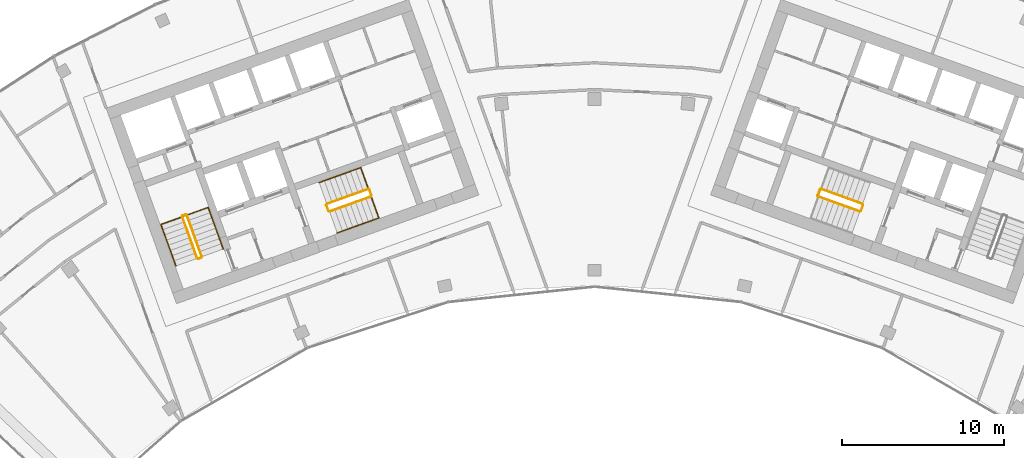
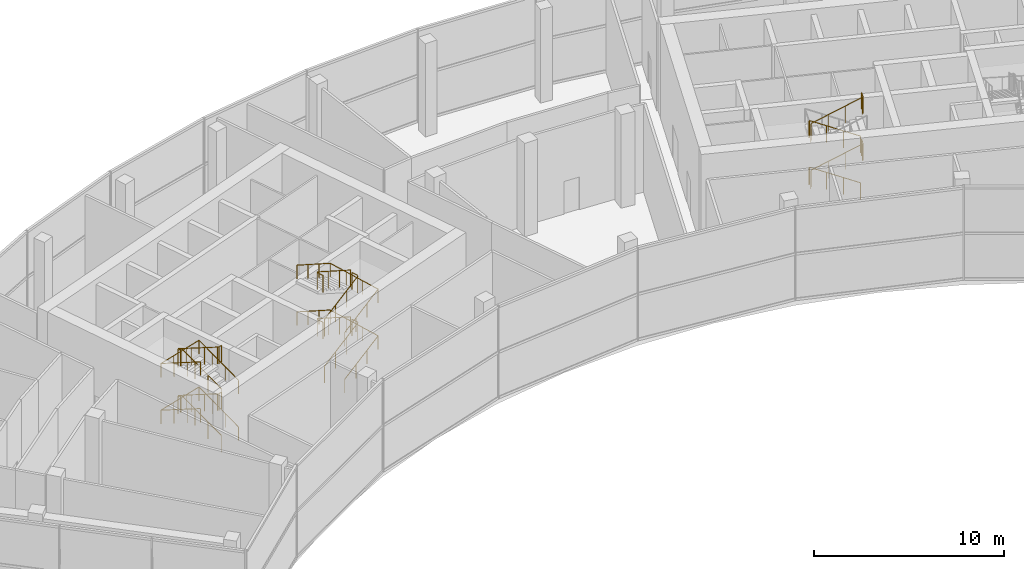
# One storey, part 17 of 18: 16 railings.
"""IFC4 building model written with IfcOpenShell, lengths in metres."""

from ifc_helpers import new_model, si_unit, direction, frame, origin, origin_2d, place, context, subcontext, project, spatial, circle, extrude, material, type_object, element, save


model = new_model("IFC4")

# Units and contexts
model_context = context("Model", 3, precision=1e-05, world=origin(), true_north=direction((0.0, 1.0)))
body_context = subcontext(model_context, "Body", "Model", "MODEL_VIEW")
ifc_project = project(units=[si_unit("LENGTHUNIT", "METRE"), si_unit("AREAUNIT", "SQUARE_METRE"), si_unit("VOLUMEUNIT", "CUBIC_METRE"), si_unit("PLANEANGLEUNIT", "RADIAN"), si_unit("MASSUNIT", "GRAM", prefix="KILO")], contexts=[model_context])

# Site, building, storey
site_placement = place(None, origin())
site = spatial("IfcSite", under=ifc_project, at=site_placement, CompositionType="ELEMENT")
building_placement = place(site_placement, origin())
building = spatial("IfcBuilding", under=site, at=building_placement, Name="Stone Belt Terrace Tower", CompositionType="ELEMENT")
storey_placement = place(building_placement, frame((0.0, 0.0, 307.39990234375)))
storey = spatial("IfcBuildingStorey", under=building, at=storey_placement, Name="L75", CompositionType="ELEMENT", Elevation=307.39990234375)

# Railings
ifc_material = material(Name="Structural steel C345", Category="steel")
railing_type_1 = type_object("IfcRailingType", Name="Stair guard 1100", PredefinedType="GUARDRAIL", material=ifc_material)
railing_1_placement = place(storey_placement, frame((-24.2119140625, 45.276123046875, 0.166748046875)))
element("IfcRailing", 1, at=railing_1_placement, inside=storey, type_object=railing_type_1, Name="L75 ST1A stair guard 1", PredefinedType="GUARDRAIL", context=body_context, shape_type="SweptSolid", body=[
    extrude(circle(Radius=0.02392578125, at=origin_2d()), frame((0.0, 0.0, 1.076171875), z_axis=(-0.304085050599, 0.844877706182, 0.440129462316), x_axis=(-0.940912581645, -0.338649544076, 0.0)), (0.0, 0.0, 1.0), 3.029296875),
    extrude(circle(Radius=0.02392578125, at=origin_2d()), frame((-0.921142578125, 2.559326171875, 2.4091796875), z_axis=(-0.905209821074, 0.424964916, 0.0), x_axis=(-0.424964916, -0.905209821074, 0.0)), (0.0, 0.0, 1.0), 0.070556640625),
    extrude(circle(Radius=0.02392578125, at=origin_2d()), frame((-0.985107421875, 2.58935546875, 2.4091796875), z_axis=(-0.941105063269, -0.338114270461, 0.0), x_axis=(0.338114270461, -0.941105063269, 0.0)), (0.0, 0.0, 1.0), 0.199951171875),
    extrude(circle(Radius=0.02099609375, at=origin_2d()), origin(), (0.0, 0.0, 1.0), 1.052001953125),
    extrude(circle(Radius=0.02099609375, at=origin_2d()), frame((-0.30712890625, 0.85302734375, 0.4443359375)), (0.0, 0.0, 1.0), 1.052001953125),
    extrude(circle(Radius=0.02099609375, at=origin_2d()), frame((-0.614013671875, 1.706298828125, 0.888916015625)), (0.0, 0.0, 1.0), 1.052001953125),
    extrude(circle(Radius=0.02099609375, at=origin_2d()), frame((-0.921142578125, 2.559326171875, 1.333251953125)), (0.0, 0.0, 1.0), 1.052001953125),
    extrude(circle(Radius=0.02099609375, at=origin_2d()), frame((-0.985107421875, 2.58935546875, 1.333251953125)), (0.0, 0.0, 1.0), 1.052001953125),
    extrude(circle(Radius=0.02099609375, at=origin_2d()), frame((-1.17333984375, 2.521728515625, 1.333251953125)), (0.0, 0.0, 1.0), 1.052001953125),
])
railing_2_placement = place(storey_placement, frame((-25.415283203125, 47.73388671875, 1.666748046875)))
element("IfcRailing", 2, at=railing_2_placement, inside=storey, type_object=railing_type_1, Name="L75 ST1A stair guard 2", PredefinedType="GUARDRAIL", context=body_context, shape_type="SweptSolid", body=[
    extrude(circle(Radius=0.02392578125, at=origin_2d()), frame((0.0, 0.0, 1.076171875), z_axis=(0.304085050599, -0.844877706182, 0.440129462316), x_axis=(0.940912581645, 0.338649544076, 0.0)), (0.0, 0.0, 1.0), 3.029296875),
    extrude(circle(Radius=0.02392578125, at=origin_2d()), frame((0.921142578125, -2.559326171875, 2.4091796875), z_axis=(0.903878284585, -0.427789722475, 0.0), x_axis=(0.427789722475, 0.903878284585, 0.0)), (0.0, 0.0, 1.0), 0.07080078125),
    extrude(circle(Radius=0.02392578125, at=origin_2d()), frame((0.985107421875, -2.589599609375, 2.4091796875), z_axis=(0.940575576748, 0.339584429008, 0.0), x_axis=(-0.339584429008, 0.940575576748, 0.0)), (0.0, 0.0, 1.0), 0.199951171875),
    extrude(circle(Radius=0.02099609375, at=origin_2d()), origin(), (0.0, 0.0, 1.0), 1.052001953125),
    extrude(circle(Radius=0.02099609375, at=origin_2d()), frame((0.30712890625, -0.85302734375, 0.4443359375)), (0.0, 0.0, 1.0), 1.052001953125),
    extrude(circle(Radius=0.02099609375, at=origin_2d()), frame((0.614013671875, -1.706298828125, 0.888916015625)), (0.0, 0.0, 1.0), 1.052001953125),
    extrude(circle(Radius=0.02099609375, at=origin_2d()), frame((0.921142578125, -2.559326171875, 1.333251953125)), (0.0, 0.0, 1.0), 1.052001953125),
    extrude(circle(Radius=0.02099609375, at=origin_2d()), frame((0.985107421875, -2.589599609375, 1.333251953125)), (0.0, 0.0, 1.0), 1.052001953125),
    extrude(circle(Radius=0.02099609375, at=origin_2d()), frame((1.173095703125, -2.521728515625, 1.333251953125)), (0.0, 0.0, 1.0), 1.052001953125),
])
railing_3_placement = place(storey_placement, frame((-24.2119140625, 45.276123046875, 3.166748046875)))
element("IfcRailing", 3, at=railing_3_placement, inside=storey, type_object=railing_type_1, Name="L75 ST1A stair guard 3", PredefinedType="GUARDRAIL", context=body_context, shape_type="SweptSolid", body=[
    extrude(circle(Radius=0.02392578125, at=origin_2d()), frame((0.0, 0.0, 1.076171875), z_axis=(-0.304085050599, 0.844877706182, 0.440129462316), x_axis=(-0.940912581645, -0.338649544076, 0.0)), (0.0, 0.0, 1.0), 3.029296875),
    extrude(circle(Radius=0.02392578125, at=origin_2d()), frame((-0.921142578125, 2.559326171875, 2.4091796875), z_axis=(-0.905209821074, 0.424964916, 0.0), x_axis=(-0.424964916, -0.905209821074, 0.0)), (0.0, 0.0, 1.0), 0.070556640625),
    extrude(circle(Radius=0.02392578125, at=origin_2d()), frame((-0.985107421875, 2.58935546875, 2.4091796875), z_axis=(-0.941105063269, -0.338114270461, 0.0), x_axis=(0.338114270461, -0.941105063269, 0.0)), (0.0, 0.0, 1.0), 0.199951171875),
    extrude(circle(Radius=0.02099609375, at=origin_2d()), origin(), (0.0, 0.0, 1.0), 1.052001953125),
    extrude(circle(Radius=0.02099609375, at=origin_2d()), frame((-0.30712890625, 0.85302734375, 0.4443359375)), (0.0, 0.0, 1.0), 1.052001953125),
    extrude(circle(Radius=0.02099609375, at=origin_2d()), frame((-0.614013671875, 1.706298828125, 0.888916015625)), (0.0, 0.0, 1.0), 1.052001953125),
    extrude(circle(Radius=0.02099609375, at=origin_2d()), frame((-0.921142578125, 2.559326171875, 1.333251953125)), (0.0, 0.0, 1.0), 1.052001953125),
    extrude(circle(Radius=0.02099609375, at=origin_2d()), frame((-0.985107421875, 2.58935546875, 1.333251953125)), (0.0, 0.0, 1.0), 1.052001953125),
    extrude(circle(Radius=0.02099609375, at=origin_2d()), frame((-1.17333984375, 2.521728515625, 1.333251953125)), (0.0, 0.0, 1.0), 1.052001953125),
])
railing_4_placement = place(storey_placement, frame((-25.415283203125, 47.73388671875, 4.666748046875)))
element("IfcRailing", 4, at=railing_4_placement, inside=storey, type_object=railing_type_1, Name="L75 ST1A stair guard 4", PredefinedType="GUARDRAIL", context=body_context, shape_type="SweptSolid", body=[
    extrude(circle(Radius=0.02392578125, at=origin_2d()), frame((0.0, 0.0, 1.076171875), z_axis=(0.304085050599, -0.844877706182, 0.440129462316), x_axis=(0.940912581645, 0.338649544076, 0.0)), (0.0, 0.0, 1.0), 3.029296875),
    extrude(circle(Radius=0.02392578125, at=origin_2d()), frame((0.921142578125, -2.559326171875, 2.4091796875), z_axis=(0.903878284585, -0.427789722475, 0.0), x_axis=(0.427789722475, 0.903878284585, 0.0)), (0.0, 0.0, 1.0), 0.07080078125),
    extrude(circle(Radius=0.02392578125, at=origin_2d()), frame((0.985107421875, -2.589599609375, 2.4091796875), z_axis=(0.940575576748, 0.339584429008, 0.0), x_axis=(-0.339584429008, 0.940575576748, 0.0)), (0.0, 0.0, 1.0), 0.199951171875),
    extrude(circle(Radius=0.02099609375, at=origin_2d()), origin(), (0.0, 0.0, 1.0), 1.052001953125),
    extrude(circle(Radius=0.02099609375, at=origin_2d()), frame((0.30712890625, -0.85302734375, 0.4443359375)), (0.0, 0.0, 1.0), 1.052001953125),
    extrude(circle(Radius=0.02099609375, at=origin_2d()), frame((0.614013671875, -1.706298828125, 0.888916015625)), (0.0, 0.0, 1.0), 1.052001953125),
    extrude(circle(Radius=0.02099609375, at=origin_2d()), frame((0.921142578125, -2.559326171875, 1.333251953125)), (0.0, 0.0, 1.0), 1.052001953125),
    extrude(circle(Radius=0.02099609375, at=origin_2d()), frame((0.985107421875, -2.589599609375, 1.333251953125)), (0.0, 0.0, 1.0), 1.052001953125),
    extrude(circle(Radius=0.02099609375, at=origin_2d()), frame((1.173095703125, -2.521728515625, 1.333251953125)), (0.0, 0.0, 1.0), 1.052001953125),
])
railing_5_placement = place(storey_placement, frame((-16.33837890625, 48.056640625, 0.166748046875)))
element("IfcRailing", 5, at=railing_5_placement, inside=storey, type_object=railing_type_1, Name="L75 ST2A stair guard 1", PredefinedType="GUARDRAIL", context=body_context, shape_type="SweptSolid", body=[
    extrude(circle(Radius=0.02392578125, at=origin_2d()), frame((0.0, 0.0, 1.076171875), z_axis=(0.844898410246, 0.304011905318, 0.440140247863), x_axis=(-0.33857007795, 0.940941178989, 0.0)), (0.0, 0.0, 1.0), 3.029052734375),
    extrude(circle(Radius=0.02392578125, at=origin_2d()), frame((2.559326171875, 0.9208984375, 2.4091796875), z_axis=(0.424964916, 0.905209821074, 0.0), x_axis=(-0.905209821074, 0.424964916, 0.0)), (0.0, 0.0, 1.0), 0.070556640625),
    extrude(circle(Radius=0.02392578125, at=origin_2d()), frame((2.58935546875, 0.98486328125, 2.4091796875), z_axis=(-0.338114270461, 0.941105063269, 0.0), x_axis=(-0.941105063269, -0.338114270461, 0.0)), (0.0, 0.0, 1.0), 0.39990234375),
    extrude(circle(Radius=0.02099609375, at=origin_2d()), origin(), (0.0, 0.0, 1.0), 1.052001953125),
    extrude(circle(Radius=0.02099609375, at=origin_2d()), frame((0.85302734375, 0.306884765625, 0.4443359375)), (0.0, 0.0, 1.0), 1.052001953125),
    extrude(circle(Radius=0.02099609375, at=origin_2d()), frame((1.706298828125, 0.614013671875, 0.888916015625)), (0.0, 0.0, 1.0), 1.052001953125),
    extrude(circle(Radius=0.02099609375, at=origin_2d()), frame((2.559326171875, 0.9208984375, 1.333251953125)), (0.0, 0.0, 1.0), 1.052001953125),
    extrude(circle(Radius=0.02099609375, at=origin_2d()), frame((2.58935546875, 0.98486328125, 1.333251953125)), (0.0, 0.0, 1.0), 1.052001953125),
    extrude(circle(Radius=0.02099609375, at=origin_2d()), frame((2.4541015625, 1.361328125, 1.333251953125)), (0.0, 0.0, 1.0), 1.052001953125),
])
railing_6_placement = place(storey_placement, frame((-13.9482421875, 49.447998046875, 1.666748046875)))
element("IfcRailing", 6, at=railing_6_placement, inside=storey, type_object=railing_type_1, Name="L75 ST2A stair guard 2", PredefinedType="GUARDRAIL", context=body_context, shape_type="SweptSolid", body=[
    extrude(circle(Radius=0.02392578125, at=origin_2d()), frame((0.0, 0.0, 1.076171875), z_axis=(-0.844898410246, -0.304011905318, 0.440140247863), x_axis=(0.33857007795, -0.940941178989, 0.0)), (0.0, 0.0, 1.0), 3.029052734375),
    extrude(circle(Radius=0.02392578125, at=origin_2d()), frame((-2.559326171875, -0.9208984375, 2.4091796875), z_axis=(-0.427789722475, -0.903878284585, 0.0), x_axis=(0.903878284585, -0.427789722475, 0.0)), (0.0, 0.0, 1.0), 0.07080078125),
    extrude(circle(Radius=0.02392578125, at=origin_2d()), frame((-2.589599609375, -0.98486328125, 2.4091796875), z_axis=(0.338654645739, -0.940910745459, 0.0), x_axis=(0.940910745459, 0.338654645739, 0.0)), (0.0, 0.0, 1.0), 0.400146484375),
    extrude(circle(Radius=0.02099609375, at=origin_2d()), origin(), (0.0, 0.0, 1.0), 1.052001953125),
    extrude(circle(Radius=0.02099609375, at=origin_2d()), frame((-0.85302734375, -0.306884765625, 0.4443359375)), (0.0, 0.0, 1.0), 1.052001953125),
    extrude(circle(Radius=0.02099609375, at=origin_2d()), frame((-1.706298828125, -0.614013671875, 0.888916015625)), (0.0, 0.0, 1.0), 1.052001953125),
    extrude(circle(Radius=0.02099609375, at=origin_2d()), frame((-2.559326171875, -0.9208984375, 1.333251953125)), (0.0, 0.0, 1.0), 1.052001953125),
    extrude(circle(Radius=0.02099609375, at=origin_2d()), frame((-2.589599609375, -0.98486328125, 1.333251953125)), (0.0, 0.0, 1.0), 1.052001953125),
    extrude(circle(Radius=0.02099609375, at=origin_2d()), frame((-2.4541015625, -1.361328125, 1.333251953125)), (0.0, 0.0, 1.0), 1.052001953125),
])
railing_7_placement = place(storey_placement, frame((-16.33837890625, 48.056640625, 3.166748046875)))
element("IfcRailing", 7, at=railing_7_placement, inside=storey, type_object=railing_type_1, Name="L75 ST2A stair guard 3", PredefinedType="GUARDRAIL", context=body_context, shape_type="SweptSolid", body=[
    extrude(circle(Radius=0.02392578125, at=origin_2d()), frame((0.0, 0.0, 1.076171875), z_axis=(0.844898410246, 0.304011905318, 0.440140247863), x_axis=(-0.33857007795, 0.940941178989, 0.0)), (0.0, 0.0, 1.0), 3.029052734375),
    extrude(circle(Radius=0.02392578125, at=origin_2d()), frame((2.559326171875, 0.9208984375, 2.4091796875), z_axis=(0.424964916, 0.905209821074, 0.0), x_axis=(-0.905209821074, 0.424964916, 0.0)), (0.0, 0.0, 1.0), 0.070556640625),
    extrude(circle(Radius=0.02392578125, at=origin_2d()), frame((2.58935546875, 0.98486328125, 2.4091796875), z_axis=(-0.338114270461, 0.941105063269, 0.0), x_axis=(-0.941105063269, -0.338114270461, 0.0)), (0.0, 0.0, 1.0), 0.39990234375),
    extrude(circle(Radius=0.02099609375, at=origin_2d()), origin(), (0.0, 0.0, 1.0), 1.052001953125),
    extrude(circle(Radius=0.02099609375, at=origin_2d()), frame((0.85302734375, 0.306884765625, 0.4443359375)), (0.0, 0.0, 1.0), 1.052001953125),
    extrude(circle(Radius=0.02099609375, at=origin_2d()), frame((1.706298828125, 0.614013671875, 0.888916015625)), (0.0, 0.0, 1.0), 1.052001953125),
    extrude(circle(Radius=0.02099609375, at=origin_2d()), frame((2.559326171875, 0.9208984375, 1.333251953125)), (0.0, 0.0, 1.0), 1.052001953125),
    extrude(circle(Radius=0.02099609375, at=origin_2d()), frame((2.58935546875, 0.98486328125, 1.333251953125)), (0.0, 0.0, 1.0), 1.052001953125),
    extrude(circle(Radius=0.02099609375, at=origin_2d()), frame((2.4541015625, 1.361328125, 1.333251953125)), (0.0, 0.0, 1.0), 1.052001953125),
])
railing_8_placement = place(storey_placement, frame((-13.9482421875, 49.447998046875, 4.666748046875)))
element("IfcRailing", 8, at=railing_8_placement, inside=storey, type_object=railing_type_1, Name="L75 ST2A stair guard 4", PredefinedType="GUARDRAIL", context=body_context, shape_type="SweptSolid", body=[
    extrude(circle(Radius=0.02392578125, at=origin_2d()), frame((0.0, 0.0, 1.076171875), z_axis=(-0.844898410246, -0.304011905318, 0.440140247863), x_axis=(0.33857007795, -0.940941178989, 0.0)), (0.0, 0.0, 1.0), 3.029052734375),
    extrude(circle(Radius=0.02392578125, at=origin_2d()), frame((-2.559326171875, -0.9208984375, 2.4091796875), z_axis=(-0.427789722475, -0.903878284585, 0.0), x_axis=(0.903878284585, -0.427789722475, 0.0)), (0.0, 0.0, 1.0), 0.07080078125),
    extrude(circle(Radius=0.02392578125, at=origin_2d()), frame((-2.589599609375, -0.98486328125, 2.4091796875), z_axis=(0.338654645739, -0.940910745459, 0.0), x_axis=(0.940910745459, 0.338654645739, 0.0)), (0.0, 0.0, 1.0), 0.400146484375),
    extrude(circle(Radius=0.02099609375, at=origin_2d()), origin(), (0.0, 0.0, 1.0), 1.052001953125),
    extrude(circle(Radius=0.02099609375, at=origin_2d()), frame((-0.85302734375, -0.306884765625, 0.4443359375)), (0.0, 0.0, 1.0), 1.052001953125),
    extrude(circle(Radius=0.02099609375, at=origin_2d()), frame((-1.706298828125, -0.614013671875, 0.888916015625)), (0.0, 0.0, 1.0), 1.052001953125),
    extrude(circle(Radius=0.02099609375, at=origin_2d()), frame((-2.559326171875, -0.9208984375, 1.333251953125)), (0.0, 0.0, 1.0), 1.052001953125),
    extrude(circle(Radius=0.02099609375, at=origin_2d()), frame((-2.589599609375, -0.98486328125, 1.333251953125)), (0.0, 0.0, 1.0), 1.052001953125),
    extrude(circle(Radius=0.02099609375, at=origin_2d()), frame((-2.4541015625, -1.361328125, 1.333251953125)), (0.0, 0.0, 1.0), 1.052001953125),
])
railing_9_placement = place(storey_placement, frame((16.507568359375, 48.527099609375, 0.166748046875)))
element("IfcRailing", 9, at=railing_9_placement, inside=storey, type_object=railing_type_1, Name="L75 ST2B stair guard 1", PredefinedType="GUARDRAIL", context=body_context, shape_type="SweptSolid", body=[
    extrude(circle(Radius=0.02392578125, at=origin_2d()), frame((0.0, 0.0, 1.076171875), z_axis=(-0.844898410246, 0.304011905318, 0.440140247863), x_axis=(-0.33857007795, -0.940941178989, 0.0)), (0.0, 0.0, 1.0), 3.029052734375),
    extrude(circle(Radius=0.02392578125, at=origin_2d()), frame((-2.559326171875, 0.9208984375, 2.4091796875), z_axis=(-0.905209821074, -0.424964916, 0.0), x_axis=(0.424964916, -0.905209821074, 0.0)), (0.0, 0.0, 1.0), 0.070556640625),
    extrude(circle(Radius=0.02392578125, at=origin_2d()), frame((-2.623291015625, 0.890869140625, 2.4091796875), z_axis=(-0.338114270461, -0.941105063269, 0.0), x_axis=(0.941105063269, -0.338114270461, 0.0)), (0.0, 0.0, 1.0), 0.39990234375),
    extrude(circle(Radius=0.02099609375, at=origin_2d()), origin(), (0.0, 0.0, 1.0), 1.052001953125),
    extrude(circle(Radius=0.02099609375, at=origin_2d()), frame((-0.85302734375, 0.306884765625, 0.4443359375)), (0.0, 0.0, 1.0), 1.052001953125),
    extrude(circle(Radius=0.02099609375, at=origin_2d()), frame((-1.706298828125, 0.614013671875, 0.888916015625)), (0.0, 0.0, 1.0), 1.052001953125),
    extrude(circle(Radius=0.02099609375, at=origin_2d()), frame((-2.559326171875, 0.9208984375, 1.333251953125)), (0.0, 0.0, 1.0), 1.052001953125),
    extrude(circle(Radius=0.02099609375, at=origin_2d()), frame((-2.623291015625, 0.890869140625, 1.333251953125)), (0.0, 0.0, 1.0), 1.052001953125),
    extrude(circle(Radius=0.02099609375, at=origin_2d()), frame((-2.758544921875, 0.514404296875, 1.333251953125)), (0.0, 0.0, 1.0), 1.052001953125),
])
railing_10_placement = place(storey_placement, frame((13.779052734375, 48.9775390625, 1.666748046875)))
element("IfcRailing", 10, at=railing_10_placement, inside=storey, type_object=railing_type_1, Name="L75 ST2B stair guard 2", PredefinedType="GUARDRAIL", context=body_context, shape_type="SweptSolid", body=[
    extrude(circle(Radius=0.02392578125, at=origin_2d()), frame((0.0, 0.0, 1.076171875), z_axis=(0.844898410246, -0.304011905318, 0.440140247863), x_axis=(0.33857007795, 0.940941178989, 0.0)), (0.0, 0.0, 1.0), 3.029052734375),
    extrude(circle(Radius=0.02392578125, at=origin_2d()), frame((2.559326171875, -0.9208984375, 2.4091796875), z_axis=(0.905209821074, 0.424964916, 0.0), x_axis=(-0.424964916, 0.905209821074, 0.0)), (0.0, 0.0, 1.0), 0.070556640625),
    extrude(circle(Radius=0.02392578125, at=origin_2d()), frame((2.623291015625, -0.890869140625, 2.4091796875), z_axis=(0.338654645739, 0.940910745459, 0.0), x_axis=(-0.940910745459, 0.338654645739, 0.0)), (0.0, 0.0, 1.0), 0.400146484375),
    extrude(circle(Radius=0.02099609375, at=origin_2d()), origin(), (0.0, 0.0, 1.0), 1.052001953125),
    extrude(circle(Radius=0.02099609375, at=origin_2d()), frame((0.85302734375, -0.306884765625, 0.4443359375)), (0.0, 0.0, 1.0), 1.052001953125),
    extrude(circle(Radius=0.02099609375, at=origin_2d()), frame((1.706298828125, -0.614013671875, 0.888916015625)), (0.0, 0.0, 1.0), 1.052001953125),
    extrude(circle(Radius=0.02099609375, at=origin_2d()), frame((2.559326171875, -0.9208984375, 1.333251953125)), (0.0, 0.0, 1.0), 1.052001953125),
    extrude(circle(Radius=0.02099609375, at=origin_2d()), frame((2.623291015625, -0.890869140625, 1.333251953125)), (0.0, 0.0, 1.0), 1.052001953125),
    extrude(circle(Radius=0.02099609375, at=origin_2d()), frame((2.7587890625, -0.514404296875, 1.333251953125)), (0.0, 0.0, 1.0), 1.052001953125),
])
railing_11_placement = place(storey_placement, frame((16.507568359375, 48.527099609375, 3.166748046875)))
element("IfcRailing", 11, at=railing_11_placement, inside=storey, type_object=railing_type_1, Name="L75 ST2B stair guard 3", PredefinedType="GUARDRAIL", context=body_context, shape_type="SweptSolid", body=[
    extrude(circle(Radius=0.02392578125, at=origin_2d()), frame((0.0, 0.0, 1.076171875), z_axis=(-0.844898410246, 0.304011905318, 0.440140247863), x_axis=(-0.33857007795, -0.940941178989, 0.0)), (0.0, 0.0, 1.0), 3.029052734375),
    extrude(circle(Radius=0.02392578125, at=origin_2d()), frame((-2.559326171875, 0.9208984375, 2.4091796875), z_axis=(-0.905209821074, -0.424964916, 0.0), x_axis=(0.424964916, -0.905209821074, 0.0)), (0.0, 0.0, 1.0), 0.070556640625),
    extrude(circle(Radius=0.02392578125, at=origin_2d()), frame((-2.623291015625, 0.890869140625, 2.4091796875), z_axis=(-0.338114270461, -0.941105063269, 0.0), x_axis=(0.941105063269, -0.338114270461, 0.0)), (0.0, 0.0, 1.0), 0.39990234375),
    extrude(circle(Radius=0.02099609375, at=origin_2d()), origin(), (0.0, 0.0, 1.0), 1.052001953125),
    extrude(circle(Radius=0.02099609375, at=origin_2d()), frame((-0.85302734375, 0.306884765625, 0.4443359375)), (0.0, 0.0, 1.0), 1.052001953125),
    extrude(circle(Radius=0.02099609375, at=origin_2d()), frame((-1.706298828125, 0.614013671875, 0.888916015625)), (0.0, 0.0, 1.0), 1.052001953125),
    extrude(circle(Radius=0.02099609375, at=origin_2d()), frame((-2.559326171875, 0.9208984375, 1.333251953125)), (0.0, 0.0, 1.0), 1.052001953125),
    extrude(circle(Radius=0.02099609375, at=origin_2d()), frame((-2.623291015625, 0.890869140625, 1.333251953125)), (0.0, 0.0, 1.0), 1.052001953125),
    extrude(circle(Radius=0.02099609375, at=origin_2d()), frame((-2.758544921875, 0.514404296875, 1.333251953125)), (0.0, 0.0, 1.0), 1.052001953125),
])
railing_12_placement = place(storey_placement, frame((13.779052734375, 48.9775390625, 4.666748046875)))
element("IfcRailing", 12, at=railing_12_placement, inside=storey, type_object=railing_type_1, Name="L75 ST2B stair guard 4", PredefinedType="GUARDRAIL", context=body_context, shape_type="SweptSolid", body=[
    extrude(circle(Radius=0.02392578125, at=origin_2d()), frame((0.0, 0.0, 1.076171875), z_axis=(0.844898410246, -0.304011905318, 0.440140247863), x_axis=(0.33857007795, 0.940941178989, 0.0)), (0.0, 0.0, 1.0), 3.029052734375),
    extrude(circle(Radius=0.02392578125, at=origin_2d()), frame((2.559326171875, -0.9208984375, 2.4091796875), z_axis=(0.905209821074, 0.424964916, 0.0), x_axis=(-0.424964916, 0.905209821074, 0.0)), (0.0, 0.0, 1.0), 0.070556640625),
    extrude(circle(Radius=0.02392578125, at=origin_2d()), frame((2.623291015625, -0.890869140625, 2.4091796875), z_axis=(0.338654645739, 0.940910745459, 0.0), x_axis=(-0.940910745459, 0.338654645739, 0.0)), (0.0, 0.0, 1.0), 0.400146484375),
    extrude(circle(Radius=0.02099609375, at=origin_2d()), origin(), (0.0, 0.0, 1.0), 1.052001953125),
    extrude(circle(Radius=0.02099609375, at=origin_2d()), frame((0.85302734375, -0.306884765625, 0.4443359375)), (0.0, 0.0, 1.0), 1.052001953125),
    extrude(circle(Radius=0.02099609375, at=origin_2d()), frame((1.706298828125, -0.614013671875, 0.888916015625)), (0.0, 0.0, 1.0), 1.052001953125),
    extrude(circle(Radius=0.02099609375, at=origin_2d()), frame((2.559326171875, -0.9208984375, 1.333251953125)), (0.0, 0.0, 1.0), 1.052001953125),
    extrude(circle(Radius=0.02099609375, at=origin_2d()), frame((2.623291015625, -0.890869140625, 1.333251953125)), (0.0, 0.0, 1.0), 1.052001953125),
    extrude(circle(Radius=0.02099609375, at=origin_2d()), frame((2.7587890625, -0.514404296875, 1.333251953125)), (0.0, 0.0, 1.0), 1.052001953125),
])
railing_type_2 = type_object("IfcRailingType", Name="Stair handrail 900", PredefinedType="HANDRAIL", material=ifc_material)
railing_13_placement = place(storey_placement, frame((-22.894775390625, 45.750244140625, 0.166748046875)))
element("IfcRailing", 13, at=railing_13_placement, inside=storey, type_object=railing_type_2, Name="L75 ST1A stair handrail 1", PredefinedType="HANDRAIL", context=body_context, shape_type="SweptSolid", body=[
    extrude(circle(Radius=0.02392578125, at=origin_2d()), frame((0.0, 0.0, 0.8759765625), z_axis=(-0.304032608525, 0.844875345325, 0.44017022141), x_axis=(-0.940930888665, -0.338598675066, 0.0)), (0.0, 0.0, 1.0), 3.029052734375),
    extrude(circle(Radius=0.02392578125, at=origin_2d()), frame((-0.9208984375, 2.55908203125, 2.208984375), z_axis=(-0.939586396849, -0.338071804491, 0.05371087287), x_axis=(0.338560506674, -0.940944622877, 0.0)), (0.0, 0.0, 1.0), 3.1044921875),
    extrude(circle(Radius=0.02392578125, at=origin_2d()), frame((-3.837890625, 1.509521484375, 2.3759765625), z_axis=(0.304085050599, -0.844877706182, 0.440129462316), x_axis=(0.940912581645, 0.338649544076, 0.0)), (0.0, 0.0, 1.0), 3.029296875),
    extrude(circle(Radius=0.02099609375, at=origin_2d()), origin(), (0.0, 0.0, 1.0), 0.851806640625),
    extrude(circle(Radius=0.02099609375, at=origin_2d()), frame((-0.306884765625, 0.85302734375, 0.4443359375)), (0.0, 0.0, 1.0), 0.851806640625),
    extrude(circle(Radius=0.02099609375, at=origin_2d()), frame((-0.614013671875, 1.7060546875, 0.888916015625)), (0.0, 0.0, 1.0), 0.851806640625),
    extrude(circle(Radius=0.02099609375, at=origin_2d()), frame((-0.9208984375, 2.55908203125, 1.333251953125)), (0.0, 0.0, 1.0), 0.851806640625),
    extrude(circle(Radius=0.02099609375, at=origin_2d()), frame((-1.893310546875, 2.209228515625, 1.388916015625)), (0.0, 0.0, 1.0), 0.851806640625),
    extrude(circle(Radius=0.02099609375, at=origin_2d()), frame((-2.865478515625, 1.859375, 1.4443359375)), (0.0, 0.0, 1.0), 0.851806640625),
    extrude(circle(Radius=0.02099609375, at=origin_2d()), frame((-3.837890625, 1.509521484375, 1.5)), (0.0, 0.0, 1.0), 0.851806640625),
    extrude(circle(Radius=0.02099609375, at=origin_2d()), frame((-3.53076171875, 0.656494140625, 1.9443359375)), (0.0, 0.0, 1.0), 0.851806640625),
    extrude(circle(Radius=0.02099609375, at=origin_2d()), frame((-3.223876953125, -0.19677734375, 2.388916015625)), (0.0, 0.0, 1.0), 0.851806640625),
    extrude(circle(Radius=0.02099609375, at=origin_2d()), frame((-2.916748046875, -1.0498046875, 2.833251953125)), (0.0, 0.0, 1.0), 0.851806640625),
])
railing_14_placement = place(storey_placement, frame((-22.894775390625, 45.750244140625, 3.166748046875)))
element("IfcRailing", 14, at=railing_14_placement, inside=storey, type_object=railing_type_2, Name="L75 ST1A stair handrail 2", PredefinedType="HANDRAIL", context=body_context, shape_type="SweptSolid", body=[
    extrude(circle(Radius=0.02392578125, at=origin_2d()), frame((0.0, 0.0, 0.8759765625), z_axis=(-0.304032608525, 0.844875345325, 0.44017022141), x_axis=(-0.940930888665, -0.338598675066, 0.0)), (0.0, 0.0, 1.0), 3.029052734375),
    extrude(circle(Radius=0.02392578125, at=origin_2d()), frame((-0.9208984375, 2.55908203125, 2.208984375), z_axis=(-0.939586396849, -0.338071804491, 0.05371087287), x_axis=(0.338560506674, -0.940944622877, 0.0)), (0.0, 0.0, 1.0), 3.1044921875),
    extrude(circle(Radius=0.02392578125, at=origin_2d()), frame((-3.837890625, 1.509521484375, 2.3759765625), z_axis=(0.304085050599, -0.844877706182, 0.440129462316), x_axis=(0.940912581645, 0.338649544076, 0.0)), (0.0, 0.0, 1.0), 3.029296875),
    extrude(circle(Radius=0.02099609375, at=origin_2d()), origin(), (0.0, 0.0, 1.0), 0.851806640625),
    extrude(circle(Radius=0.02099609375, at=origin_2d()), frame((-0.306884765625, 0.85302734375, 0.4443359375)), (0.0, 0.0, 1.0), 0.851806640625),
    extrude(circle(Radius=0.02099609375, at=origin_2d()), frame((-0.614013671875, 1.7060546875, 0.888916015625)), (0.0, 0.0, 1.0), 0.851806640625),
    extrude(circle(Radius=0.02099609375, at=origin_2d()), frame((-0.9208984375, 2.55908203125, 1.333251953125)), (0.0, 0.0, 1.0), 0.851806640625),
    extrude(circle(Radius=0.02099609375, at=origin_2d()), frame((-1.893310546875, 2.209228515625, 1.388916015625)), (0.0, 0.0, 1.0), 0.851806640625),
    extrude(circle(Radius=0.02099609375, at=origin_2d()), frame((-2.865478515625, 1.859375, 1.4443359375)), (0.0, 0.0, 1.0), 0.851806640625),
    extrude(circle(Radius=0.02099609375, at=origin_2d()), frame((-3.837890625, 1.509521484375, 1.5)), (0.0, 0.0, 1.0), 0.851806640625),
    extrude(circle(Radius=0.02099609375, at=origin_2d()), frame((-3.53076171875, 0.656494140625, 1.9443359375)), (0.0, 0.0, 1.0), 0.851806640625),
    extrude(circle(Radius=0.02099609375, at=origin_2d()), frame((-3.223876953125, -0.19677734375, 2.388916015625)), (0.0, 0.0, 1.0), 0.851806640625),
    extrude(circle(Radius=0.02099609375, at=origin_2d()), frame((-2.916748046875, -1.0498046875, 2.833251953125)), (0.0, 0.0, 1.0), 0.851806640625),
])
railing_15_placement = place(storey_placement, frame((-15.8642578125, 46.7392578125, 0.166748046875)))
element("IfcRailing", 15, at=railing_15_placement, inside=storey, type_object=railing_type_2, Name="L75 ST2A stair handrail 1", PredefinedType="HANDRAIL", context=body_context, shape_type="SweptSolid", body=[
    extrude(circle(Radius=0.02392578125, at=origin_2d()), frame((0.0, 0.0, 0.8759765625), z_axis=(0.844877706182, 0.304085050599, 0.440129462316), x_axis=(-0.338649544076, 0.940912581645, 0.0)), (0.0, 0.0, 1.0), 3.029296875),
    extrude(circle(Radius=0.02392578125, at=origin_2d()), frame((2.559326171875, 0.921142578125, 2.208984375), z_axis=(-0.33819104767, 0.939723343734, 0.050466350351), x_axis=(-0.940922302781, -0.338622533404, 0.0)), (0.0, 0.0, 1.0), 3.30419921875),
    extrude(circle(Radius=0.02392578125, at=origin_2d()), frame((1.44189453125, 4.026123046875, 2.3759765625), z_axis=(-0.844877706182, -0.304085050599, 0.440129462316), x_axis=(0.338649544076, -0.940912581645, 0.0)), (0.0, 0.0, 1.0), 3.029296875),
    extrude(circle(Radius=0.02099609375, at=origin_2d()), origin(), (0.0, 0.0, 1.0), 0.851806640625),
    extrude(circle(Radius=0.02099609375, at=origin_2d()), frame((0.85302734375, 0.30712890625, 0.4443359375)), (0.0, 0.0, 1.0), 0.851806640625),
    extrude(circle(Radius=0.02099609375, at=origin_2d()), frame((1.706298828125, 0.614013671875, 0.888916015625)), (0.0, 0.0, 1.0), 0.851806640625),
    extrude(circle(Radius=0.02099609375, at=origin_2d()), frame((2.559326171875, 0.921142578125, 1.333251953125)), (0.0, 0.0, 1.0), 0.851806640625),
    extrude(circle(Radius=0.02099609375, at=origin_2d()), frame((2.186767578125, 1.9560546875, 1.388916015625)), (0.0, 0.0, 1.0), 0.851806640625),
    extrude(circle(Radius=0.02099609375, at=origin_2d()), frame((1.814453125, 2.9912109375, 1.4443359375)), (0.0, 0.0, 1.0), 0.851806640625),
    extrude(circle(Radius=0.02099609375, at=origin_2d()), frame((1.44189453125, 4.026123046875, 1.5)), (0.0, 0.0, 1.0), 0.851806640625),
    extrude(circle(Radius=0.02099609375, at=origin_2d()), frame((0.5888671875, 3.718994140625, 1.9443359375)), (0.0, 0.0, 1.0), 0.851806640625),
    extrude(circle(Radius=0.02099609375, at=origin_2d()), frame((-0.264404296875, 3.412109375, 2.388916015625)), (0.0, 0.0, 1.0), 0.851806640625),
    extrude(circle(Radius=0.02099609375, at=origin_2d()), frame((-1.117431640625, 3.10498046875, 2.833251953125)), (0.0, 0.0, 1.0), 0.851806640625),
])
railing_16_placement = place(storey_placement, frame((-15.8642578125, 46.7392578125, 3.166748046875)))
element("IfcRailing", 16, at=railing_16_placement, inside=storey, type_object=railing_type_2, Name="L75 ST2A stair handrail 2", PredefinedType="HANDRAIL", context=body_context, shape_type="SweptSolid", body=[
    extrude(circle(Radius=0.02392578125, at=origin_2d()), frame((0.0, 0.0, 0.8759765625), z_axis=(0.844877706182, 0.304085050599, 0.440129462316), x_axis=(-0.338649544076, 0.940912581645, 0.0)), (0.0, 0.0, 1.0), 3.029296875),
    extrude(circle(Radius=0.02392578125, at=origin_2d()), frame((2.559326171875, 0.921142578125, 2.208984375), z_axis=(-0.33819104767, 0.939723343734, 0.050466350351), x_axis=(-0.940922302781, -0.338622533404, 0.0)), (0.0, 0.0, 1.0), 3.30419921875),
    extrude(circle(Radius=0.02392578125, at=origin_2d()), frame((1.44189453125, 4.026123046875, 2.3759765625), z_axis=(-0.844877706182, -0.304085050599, 0.440129462316), x_axis=(0.338649544076, -0.940912581645, 0.0)), (0.0, 0.0, 1.0), 3.029296875),
    extrude(circle(Radius=0.02099609375, at=origin_2d()), origin(), (0.0, 0.0, 1.0), 0.851806640625),
    extrude(circle(Radius=0.02099609375, at=origin_2d()), frame((0.85302734375, 0.30712890625, 0.4443359375)), (0.0, 0.0, 1.0), 0.851806640625),
    extrude(circle(Radius=0.02099609375, at=origin_2d()), frame((1.706298828125, 0.614013671875, 0.888916015625)), (0.0, 0.0, 1.0), 0.851806640625),
    extrude(circle(Radius=0.02099609375, at=origin_2d()), frame((2.559326171875, 0.921142578125, 1.333251953125)), (0.0, 0.0, 1.0), 0.851806640625),
    extrude(circle(Radius=0.02099609375, at=origin_2d()), frame((2.186767578125, 1.9560546875, 1.388916015625)), (0.0, 0.0, 1.0), 0.851806640625),
    extrude(circle(Radius=0.02099609375, at=origin_2d()), frame((1.814453125, 2.9912109375, 1.4443359375)), (0.0, 0.0, 1.0), 0.851806640625),
    extrude(circle(Radius=0.02099609375, at=origin_2d()), frame((1.44189453125, 4.026123046875, 1.5)), (0.0, 0.0, 1.0), 0.851806640625),
    extrude(circle(Radius=0.02099609375, at=origin_2d()), frame((0.5888671875, 3.718994140625, 1.9443359375)), (0.0, 0.0, 1.0), 0.851806640625),
    extrude(circle(Radius=0.02099609375, at=origin_2d()), frame((-0.264404296875, 3.412109375, 2.388916015625)), (0.0, 0.0, 1.0), 0.851806640625),
    extrude(circle(Radius=0.02099609375, at=origin_2d()), frame((-1.117431640625, 3.10498046875, 2.833251953125)), (0.0, 0.0, 1.0), 0.851806640625),
])

save(model, "model.ifc")
